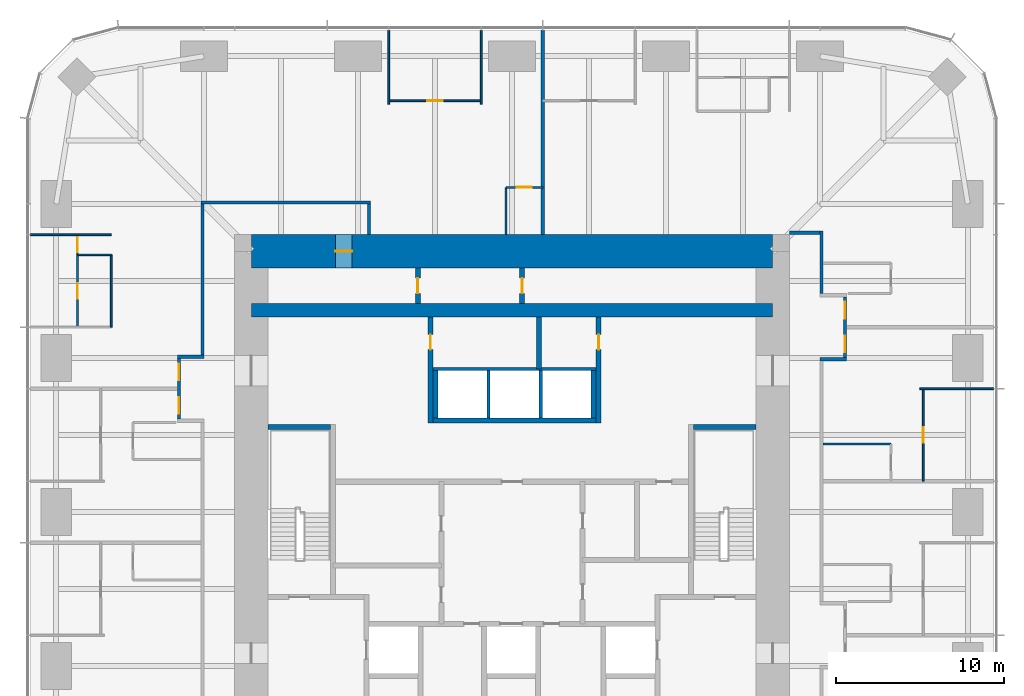
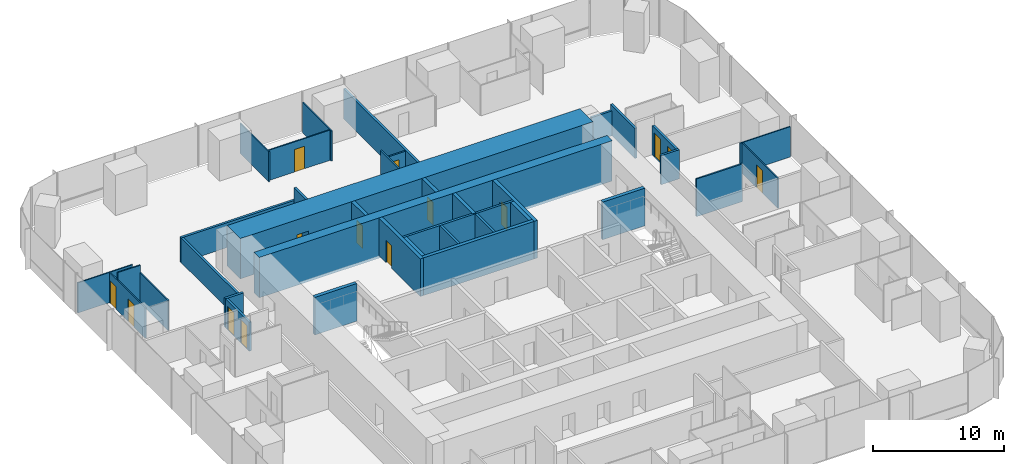
# One storey, part 11 of 13: 37 walls, 14 doors, 14 openings.
"""IFC4 building model written with IfcOpenShell, lengths in metres."""

from ifc_helpers import new_model, si_unit, direction, frame, frame_2d, origin, place, context, subcontext, project, spatial, rectangle, extrude, material, layer, layer_set, type_object, element, fill, save


model = new_model("IFC4")

# Units and contexts
model_context = context("Model", 3, precision=1e-05, world=origin(), true_north=direction((0.0, 1.0)))
body_context = subcontext(model_context, "Body", "Model", "MODEL_VIEW")
ifc_project = project(units=[si_unit("LENGTHUNIT", "METRE"), si_unit("AREAUNIT", "SQUARE_METRE"), si_unit("VOLUMEUNIT", "CUBIC_METRE"), si_unit("PLANEANGLEUNIT", "RADIAN"), si_unit("MASSUNIT", "GRAM", prefix="KILO")], contexts=[model_context])

# Site, building, storey
site_placement = place(None, origin())
site = spatial("IfcSite", under=ifc_project, at=site_placement, CompositionType="ELEMENT")
building_placement = place(site_placement, origin())
building = spatial("IfcBuilding", under=site, at=building_placement, Name="Khuree Lantern Residences", CompositionType="ELEMENT")
storey_placement = place(building_placement, frame((0.0, 0.0, 141.0)))
storey = spatial("IfcBuildingStorey", under=building, at=storey_placement, Name="L35", CompositionType="ELEMENT", Elevation=141.0)

# Wall
ifc_material_1 = material(Name="Moisture-resistant gypsum board on steel studs", Category="steel")
ifc_layer_1 = layer(ifc_material_1, 0.125)
ifc_layer_set_1 = layer_set([ifc_layer_1], Name="BATHROOM WALL BTW125")
wall_type_1 = type_object("IfcWallType", Name="BATHROOM WALL BTW125", PredefinedType="PARTITIONING", material=ifc_layer_set_1)
wall_1_placement = place(storey_placement, frame((18.5, 4.031982421875, 0.0), z_axis=(0.0, 0.0, 1.0), x_axis=(1.0, 0.0, 0.0)))
element("IfcWall", 1, at=wall_1_placement, inside=storey, type_object=wall_type_1, Name="L35 BATHROOM WALL 02", PredefinedType="PARTITIONING", context=body_context, shape_type="SweptSolid", body=[
    extrude(rectangle(XDim=4.02978515625, YDim=0.125, at=frame_2d((2.014892578125, 0.0))), origin(), (0.0, 0.0, 1.0), 3.5),
])

# Wall, opening, door
wall_2_placement = place(storey_placement, frame((1.83203125, 19.300048828125, 0.0), z_axis=(0.0, 0.0, 1.0), x_axis=(-1.0, 0.0, 0.0)))
wall_2 = element("IfcWall", 2, at=wall_2_placement, inside=storey, type_object=wall_type_1, Name="L35 BATHROOM WALL 04", PredefinedType="PARTITIONING", context=body_context, shape_type="SweptSolid", body=[
    extrude(rectangle(XDim=2.199951171875, YDim=0.125, at=frame_2d((1.10009765625, 0.0))), origin(), (0.0, 0.0, 1.0), 2.699951171875),
])
opening_1_placement = place(wall_2_placement, frame((0.64990234375, 0.0, 0.0)))
opening_1 = element("IfcOpeningElement", 3, at=opening_1_placement, cuts=wall_2, Name="Opening 35-040", PredefinedType="OPENING", context=body_context, shape_type="SweptSolid", body=[
    extrude(rectangle(XDim=0.89990234375, YDim=2.10009765625, at=frame_2d((0.449951171875, 1.050048828125))), frame((0.0, 0.072509765625, 0.0), z_axis=(0.0, -1.0, 0.0), x_axis=(1.0, 0.0, 0.0)), (0.0, 0.0, 1.0), 0.14501953125),
])
ifc_material_2 = material(Name="Timber door leaf in hardwood frame", Category="wood")
door_type_1 = type_object("IfcDoorType", Name="BATHROOM DOOR 900X2100", OperationType="SINGLE_SWING_LEFT", PredefinedType="DOOR", material=ifc_material_2)
door_1_placement = place(opening_1_placement, origin())
door_1 = element("IfcDoor", 4, at=door_1_placement, inside=storey, type_object=door_type_1, Name="Bathroom door 35-040", OperationType="SINGLE_SWING_LEFT", OverallHeight=2.10009765625, OverallWidth=0.89990234375, PredefinedType="DOOR", context=body_context, shape_type="SweptSolid", body=[
    extrude(rectangle(XDim=0.89990234375, YDim=2.10009765625, at=frame_2d((0.449951171875, 1.050048828125))), frame((0.0, 0.02490234375, 0.0), z_axis=(0.0, -1.0, 0.0), x_axis=(1.0, 0.0, 0.0)), (0.0, 0.0, 1.0), 0.050048828125),
])
fill(opening_1, door_1)

# Walls
wall_3_placement = place(storey_placement, frame((-0.367919921875, 16.5, 0.0), z_axis=(0.0, 0.0, 1.0), x_axis=(0.0, 1.0, 0.0)))
element("IfcWall", 5, at=wall_3_placement, inside=storey, type_object=wall_type_1, Name="L35 BATHROOM WALL 04", PredefinedType="PARTITIONING", context=body_context, shape_type="SweptSolid", body=[
    extrude(rectangle(XDim=2.800048828125, YDim=0.125, at=frame_2d((1.39990234375, 0.0))), origin(), (0.0, 0.0, 1.0), 3.5),
])
ifc_material_3 = material(Name="Dense concrete blockwork", Category="masonry")
ifc_layer_2 = layer(ifc_material_3, 0.300048828125)
ifc_layer_set_2 = layer_set([ifc_layer_2], Name="CORE PARTITION WALL CPW300 EI 120")
wall_type_2 = type_object("IfcWallType", Name="CORE PARTITION WALL CPW300 EI 120", PredefinedType="PARTITIONING", material=ifc_layer_set_2)
wall_4_placement = place(storey_placement, frame((-4.699951171875, 5.449951171875, 0.0), z_axis=(0.0, 0.0, 1.0), x_axis=(1.0, 0.0, 0.0)))
element("IfcWall", 6, at=wall_4_placement, inside=storey, type_object=wall_type_2, Name="L35 CORE WALL PHS", PredefinedType="PARTITIONING", context=body_context, shape_type="SweptSolid", body=[
    extrude(rectangle(XDim=9.699951171875, YDim=0.300048828125, at=frame_2d((4.85009765625, 0.0))), origin(), (0.0, 0.0, 1.0), 3.5),
])
for number, where, z_axis, x_axis, name in (
    (7, (-4.550048828125, 5.60009765625, 0.0), (0.0, 0.0, 1.0), (0.0, 1.0, 0.0), "L35 CORE WALL PHW"),
    (8, (4.85009765625, 5.60009765625, 0.0), (0.0, 0.0, 1.0), (0.0, 1.0, 0.0), "L35 CORE WALL PHE"),
):
    element("IfcWall", number, at=place(storey_placement, frame(where, z_axis=z_axis, x_axis=x_axis)), inside=storey, type_object=wall_type_2, Name=name, PredefinedType="PARTITIONING", context=body_context, shape_type="SweptSolid", body=[
        extrude(rectangle(XDim=2.7998046875, YDim=0.300048828125, at=frame_2d((1.39990234375, 0.0))), origin(), (0.0, 0.0, 1.0), 3.5),
    ])

# Wall, opening, door
wall_5_placement = place(storey_placement, frame((-4.85009765625, 5.300048828125, 0.0), z_axis=(0.0, 0.0, 1.0), x_axis=(0.0, 1.0, 0.0)))
wall_5 = element("IfcWall", 9, at=wall_5_placement, inside=storey, type_object=wall_type_2, Name="L35 CORE WALL NW", PredefinedType="PARTITIONING", context=body_context, shape_type="SweptSolid", body=[
    extrude(rectangle(XDim=6.300048828125, YDim=0.300048828125, at=frame_2d((3.14990234375, 0.0))), origin(), (0.0, 0.0, 1.0), 3.5),
])
opening_2_placement = place(wall_5_placement, frame((4.35009765625, 0.0, 0.0)))
opening_2 = element("IfcOpeningElement", 10, at=opening_2_placement, cuts=wall_5, Name="Opening 35-021", PredefinedType="OPENING", context=body_context, shape_type="SweptSolid", body=[
    extrude(rectangle(XDim=0.89990234375, YDim=2.10009765625, at=frame_2d((0.449951171875, 1.050048828125))), frame((0.0, 0.16015625, 0.0), z_axis=(0.0, -1.0, 0.0), x_axis=(1.0, 0.0, 0.0)), (0.0, 0.0, 1.0), 0.320068359375),
])
door_type_2 = type_object("IfcDoorType", Name="DOOR 900X2100 RIGHT HAND", OperationType="SINGLE_SWING_RIGHT", PredefinedType="DOOR", material=ifc_material_2)
door_2_placement = place(opening_2_placement, origin())
door_2 = element("IfcDoor", 11, at=door_2_placement, inside=storey, type_object=door_type_2, Name="Parcel room door 35-021", OperationType="SINGLE_SWING_RIGHT", OverallHeight=2.10009765625, OverallWidth=0.89990234375, PredefinedType="DOOR", context=body_context, shape_type="SweptSolid", body=[
    extrude(rectangle(XDim=0.89990234375, YDim=2.10009765625, at=frame_2d((0.449951171875, 1.050048828125))), frame((0.0, 0.02490234375, 0.0), z_axis=(0.0, -1.0, 0.0), x_axis=(1.0, 0.0, 0.0)), (0.0, 0.0, 1.0), 0.050048828125),
])
fill(opening_2, door_2)

wall_6_placement = place(storey_placement, frame((5.14990234375, 5.300048828125, 0.0), z_axis=(0.0, 0.0, 1.0), x_axis=(0.0, 1.0, 0.0)))
wall_6 = element("IfcWall", 12, at=wall_6_placement, inside=storey, type_object=wall_type_2, Name="L35 CORE WALL NE", PredefinedType="PARTITIONING", context=body_context, shape_type="SweptSolid", body=[
    extrude(rectangle(XDim=6.300048828125, YDim=0.300048828125, at=frame_2d((3.14990234375, 0.0))), origin(), (0.0, 0.0, 1.0), 3.5),
])
opening_3_placement = place(wall_6_placement, frame((4.35009765625, 0.0, 0.0)))
opening_3 = element("IfcOpeningElement", 13, at=opening_3_placement, cuts=wall_6, Name="Opening 35-022", PredefinedType="OPENING", context=body_context, shape_type="SweptSolid", body=[
    extrude(rectangle(XDim=0.89990234375, YDim=2.10009765625, at=frame_2d((0.449951171875, 1.050048828125))), frame((0.0, 0.16015625, 0.0), z_axis=(0.0, -1.0, 0.0), x_axis=(1.0, 0.0, 0.0)), (0.0, 0.0, 1.0), 0.320068359375),
])
door_type_3 = type_object("IfcDoorType", Name="DOOR 900X2100", OperationType="SINGLE_SWING_LEFT", PredefinedType="DOOR", material=ifc_material_2)
door_3_placement = place(opening_3_placement, origin())
door_3 = element("IfcDoor", 14, at=door_3_placement, inside=storey, type_object=door_type_3, Name="IT room door 35-022", OperationType="SINGLE_SWING_LEFT", OverallHeight=2.10009765625, OverallWidth=0.89990234375, PredefinedType="DOOR", context=body_context, shape_type="SweptSolid", body=[
    extrude(rectangle(XDim=0.89990234375, YDim=2.10009765625, at=frame_2d((0.449951171875, 1.050048828125))), frame((0.0, 0.02490234375, 0.0), z_axis=(0.0, -1.0, 0.0), x_axis=(1.0, 0.0, 0.0)), (0.0, 0.0, 1.0), 0.050048828125),
])
fill(opening_3, door_3)

# Wall
wall_7_placement = place(storey_placement, frame((1.60009765625, 8.5, 0.0), z_axis=(0.0, 0.0, 1.0), x_axis=(0.0, 1.0, 0.0)))
element("IfcWall", 15, at=wall_7_placement, inside=storey, type_object=wall_type_2, Name="L35 CORE WALL NX", PredefinedType="PARTITIONING", context=body_context, shape_type="SweptSolid", body=[
    extrude(rectangle(XDim=3.10009765625, YDim=0.300048828125, at=frame_2d((1.550048828125, 0.0))), origin(), (0.0, 0.0, 1.0), 3.5),
])

# Wall, opening, door
wall_8_placement = place(storey_placement, frame((-5.60009765625, 12.39990234375, 0.0), z_axis=(0.0, 0.0, 1.0), x_axis=(0.0, 1.0, 0.0)))
wall_8 = element("IfcWall", 16, at=wall_8_placement, inside=storey, type_object=wall_type_2, Name="L35 CORE WALL PLX", PredefinedType="PARTITIONING", context=body_context, shape_type="SweptSolid", body=[
    extrude(rectangle(XDim=2.10009765625, YDim=0.300048828125, at=frame_2d((1.050048828125, 0.0))), origin(), (0.0, 0.0, 1.0), 3.5),
])
opening_4_placement = place(wall_8_placement, frame((0.60009765625, 0.0, 0.0)))
opening_4 = element("IfcOpeningElement", 17, at=opening_4_placement, cuts=wall_8, Name="Opening 35-023", PredefinedType="OPENING", context=body_context, shape_type="SweptSolid", body=[
    extrude(rectangle(XDim=0.89990234375, YDim=2.10009765625, at=frame_2d((0.449951171875, 1.050048828125))), frame((0.0, 0.16015625, 0.0), z_axis=(0.0, -1.0, 0.0), x_axis=(1.0, 0.0, 0.0)), (0.0, 0.0, 1.0), 0.320068359375),
])
door_4_placement = place(opening_4_placement, origin())
door_4 = element("IfcDoor", 18, at=door_4_placement, inside=storey, type_object=door_type_3, Name="Housekeeping store door 35-023", OperationType="SINGLE_SWING_LEFT", OverallHeight=2.10009765625, OverallWidth=0.89990234375, PredefinedType="DOOR", context=body_context, shape_type="SweptSolid", body=[
    extrude(rectangle(XDim=0.89990234375, YDim=2.10009765625, at=frame_2d((0.449951171875, 1.050048828125))), frame((0.0, 0.02490234375, 0.0), z_axis=(0.0, -1.0, 0.0), x_axis=(1.0, 0.0, 0.0)), (0.0, 0.0, 1.0), 0.050048828125),
])
fill(opening_4, door_4)

wall_9_placement = place(storey_placement, frame((0.60009765625, 12.39990234375, 0.0), z_axis=(0.0, 0.0, 1.0), x_axis=(0.0, 1.0, 0.0)))
wall_9 = element("IfcWall", 19, at=wall_9_placement, inside=storey, type_object=wall_type_2, Name="L35 CORE WALL PLY", PredefinedType="PARTITIONING", context=body_context, shape_type="SweptSolid", body=[
    extrude(rectangle(XDim=2.10009765625, YDim=0.300048828125, at=frame_2d((1.050048828125, 0.0))), origin(), (0.0, 0.0, 1.0), 3.5),
])
opening_5_placement = place(wall_9_placement, frame((0.60009765625, 0.0, 0.0)))
opening_5 = element("IfcOpeningElement", 20, at=opening_5_placement, cuts=wall_9, Name="Opening 35-024", PredefinedType="OPENING", context=body_context, shape_type="SweptSolid", body=[
    extrude(rectangle(XDim=0.89990234375, YDim=2.10009765625, at=frame_2d((0.449951171875, 1.050048828125))), frame((0.0, 0.16015625, 0.0), z_axis=(0.0, -1.0, 0.0), x_axis=(1.0, 0.0, 0.0)), (0.0, 0.0, 1.0), 0.320068359375),
])
door_5_placement = place(opening_5_placement, origin())
door_5 = element("IfcDoor", 21, at=door_5_placement, inside=storey, type_object=door_type_3, Name="Store door 35-024", OperationType="SINGLE_SWING_LEFT", OverallHeight=2.10009765625, OverallWidth=0.89990234375, PredefinedType="DOOR", context=body_context, shape_type="SweptSolid", body=[
    extrude(rectangle(XDim=0.89990234375, YDim=2.10009765625, at=frame_2d((0.449951171875, 1.050048828125))), frame((0.0, 0.02490234375, 0.0), z_axis=(0.0, -1.0, 0.0), x_axis=(1.0, 0.0, 0.0)), (0.0, 0.0, 1.0), 0.050048828125),
])
fill(opening_5, door_5)

# Walls
ifc_material_4 = material(Name="Gypsum board on steel studs", Category="steel")
ifc_layer_3 = layer(ifc_material_4, 0.199951171875)
ifc_layer_set_3 = layer_set([ifc_layer_3], Name="CORRIDOR WALL CRW200 EI 60")
wall_type_3 = type_object("IfcWallType", Name="CORRIDOR WALL CRW200 EI 60", PredefinedType="PARTITIONING", material=ifc_layer_set_3)
wall_10_placement = place(storey_placement, frame((16.5, 16.60009765625, 0.0), z_axis=(0.0, 0.0, 1.0), x_axis=(1.0, 0.0, 0.0)))
element("IfcWall", 22, at=wall_10_placement, inside=storey, type_object=wall_type_3, Name="L35 EAST CORRIDOR NORTH END WALL", PredefinedType="PARTITIONING", context=body_context, shape_type="SweptSolid", body=[
    extrude(rectangle(XDim=1.800048828125, YDim=0.199951171875, at=frame_2d((0.89990234375, 0.0))), origin(), (0.0, 0.0, 1.0), 2.300048828125),
])
wall_11_placement = place(storey_placement, frame((-18.5, 18.39990234375, 0.0), z_axis=(0.0, 0.0, 1.0), x_axis=(1.0, 0.0, 0.0)))
element("IfcWall", 23, at=wall_11_placement, inside=storey, type_object=wall_type_3, Name="L35 CORRIDOR WALL NORTH", PredefinedType="PARTITIONING", context=body_context, shape_type="SweptSolid", body=[
    extrude(rectangle(XDim=10.10009765625, YDim=0.199951171875, at=frame_2d((5.050048828125, 0.0))), origin(), (0.0, 0.0, 1.0), 2.300048828125),
])
wall_12_placement = place(storey_placement, frame((-8.5, 18.300048828125, 0.0), z_axis=(0.0, 0.0, 1.0), x_axis=(0.0, -1.0, 0.0)))
element("IfcWall", 24, at=wall_12_placement, inside=storey, type_object=wall_type_3, Name="L35 NORTH CORRIDOR END WALL", PredefinedType="PARTITIONING", context=body_context, shape_type="SweptSolid", body=[
    extrude(rectangle(XDim=1.800048828125, YDim=0.199951171875, at=frame_2d((0.89990234375, 0.0))), origin(), (0.0, 0.0, 1.0), 3.5),
])
wall_13_placement = place(storey_placement, frame((18.300048828125, 9.092041015625, 0.0), z_axis=(0.0, 0.0, 1.0), x_axis=(1.0, 0.0, 0.0)))
element("IfcWall", 25, at=wall_13_placement, inside=storey, type_object=wall_type_3, Name="L35 CORRIDOR ALCOVE WALL EAST", PredefinedType="PARTITIONING", context=body_context, shape_type="SweptSolid", body=[
    extrude(rectangle(XDim=1.599853515625, YDim=0.199951171875, at=frame_2d((0.7998046875, 0.0))), origin(), (0.0, 0.0, 1.0), 2.699951171875),
])

# Wall, openings, doors
wall_14_placement = place(storey_placement, frame((19.800048828125, 9.19189453125, 0.0), z_axis=(0.0, 0.0, 1.0), x_axis=(0.0, 1.0, 0.0)))
wall_14 = element("IfcWall", 26, at=wall_14_placement, inside=storey, type_object=wall_type_3, Name="L35 CORRIDOR ALCOVE WALL EAST", PredefinedType="PARTITIONING", context=body_context, shape_type="SweptSolid", body=[
    extrude(rectangle(XDim=3.60009765625, YDim=0.199951171875, at=frame_2d((1.800048828125, 0.0))), origin(), (0.0, 0.0, 1.0), 2.699951171875),
])
opening_6_placement = place(wall_14_placement, frame((0.300048828125, 0.0, 0.0)))
opening_6 = element("IfcOpeningElement", 27, at=opening_6_placement, cuts=wall_14, Name="Opening 35-031", PredefinedType="OPENING", context=body_context, shape_type="SweptSolid", body=[
    extrude(rectangle(XDim=1.0, YDim=2.199951171875, at=frame_2d((0.5, 1.10009765625))), frame((0.0, 0.10986328125, 0.0), z_axis=(0.0, -1.0, 0.0), x_axis=(1.0, 0.0, 0.0)), (0.0, 0.0, 1.0), 0.219970703125),
])
opening_7_placement = place(wall_14_placement, frame((2.300048828125, 0.0, 0.0)))
opening_7 = element("IfcOpeningElement", 28, at=opening_7_placement, cuts=wall_14, Name="Opening 35-036", PredefinedType="OPENING", context=body_context, shape_type="SweptSolid", body=[
    extrude(rectangle(XDim=1.0, YDim=2.199951171875, at=frame_2d((0.5, 1.10009765625))), frame((0.0, 0.10986328125, 0.0), z_axis=(0.0, -1.0, 0.0), x_axis=(1.0, 0.0, 0.0)), (0.0, 0.0, 1.0), 0.219970703125),
])
door_type_4 = type_object("IfcDoorType", Name="APARTMENT ENTRANCE DOOR 1000X2200 EI 30S", OperationType="SINGLE_SWING_LEFT", PredefinedType="DOOR", material=ifc_material_2)
door_6_placement = place(opening_6_placement, origin())
door_6 = element("IfcDoor", 29, at=door_6_placement, inside=storey, type_object=door_type_4, Name="Apartment 02 entrance door 35-031", OperationType="SINGLE_SWING_LEFT", OverallHeight=2.199951171875, OverallWidth=1.0, PredefinedType="DOOR", context=body_context, shape_type="SweptSolid", body=[
    extrude(rectangle(XDim=1.0, YDim=2.199951171875, at=frame_2d((0.5, 1.10009765625))), frame((0.0, 0.02490234375, 0.0), z_axis=(0.0, -1.0, 0.0), x_axis=(1.0, 0.0, 0.0)), (0.0, 0.0, 1.0), 0.050048828125),
])
fill(opening_6, door_6)
door_type_5 = type_object("IfcDoorType", Name="APARTMENT ENTRANCE DOOR 1000X2200 EI 30S RIGHT HAND", OperationType="SINGLE_SWING_RIGHT", PredefinedType="DOOR", material=ifc_material_2)
door_7_placement = place(opening_7_placement, origin())
door_7 = element("IfcDoor", 30, at=door_7_placement, inside=storey, type_object=door_type_5, Name="Apartment 03 entrance door 35-036", OperationType="SINGLE_SWING_RIGHT", OverallHeight=2.199951171875, OverallWidth=1.0, PredefinedType="DOOR", context=body_context, shape_type="SweptSolid", body=[
    extrude(rectangle(XDim=1.0, YDim=2.199951171875, at=frame_2d((0.5, 1.10009765625))), frame((0.0, 0.02490234375, 0.0), z_axis=(0.0, -1.0, 0.0), x_axis=(1.0, 0.0, 0.0)), (0.0, 0.0, 1.0), 0.050048828125),
])
fill(opening_7, door_7)

# Walls
wall_15_placement = place(storey_placement, frame((18.39990234375, 12.991943359375, 0.0), z_axis=(0.0, 0.0, 1.0), x_axis=(0.0, 1.0, 0.0)))
element("IfcWall", 31, at=wall_15_placement, inside=storey, type_object=wall_type_3, Name="L35 CORRIDOR WALL EAST 3", PredefinedType="PARTITIONING", context=body_context, shape_type="SweptSolid", body=[
    extrude(rectangle(XDim=3.7080078125, YDim=0.199951171875, at=frame_2d((1.85400390625, 0.0))), origin(), (0.0, 0.0, 1.0), 2.81005859375),
])
wall_16_placement = place(storey_placement, frame((-18.39990234375, 18.300048828125, 0.0), z_axis=(0.0, 0.0, 1.0), x_axis=(0.0, -1.0, 0.0)))
element("IfcWall", 32, at=wall_16_placement, inside=storey, type_object=wall_type_3, Name="L35 CORRIDOR WALL WEST 1", PredefinedType="PARTITIONING", context=body_context, shape_type="SweptSolid", body=[
    extrude(rectangle(XDim=8.97216796875, YDim=0.199951171875, at=frame_2d((4.486083984375, 0.0))), origin(), (0.0, 0.0, 1.0), 2.300048828125),
])
wall_17_placement = place(storey_placement, frame((-18.300048828125, 9.22802734375, 0.0), z_axis=(0.0, 0.0, 1.0), x_axis=(-1.0, 0.0, 0.0)))
element("IfcWall", 33, at=wall_17_placement, inside=storey, type_object=wall_type_3, Name="L35 CORRIDOR ALCOVE WALL WEST", PredefinedType="PARTITIONING", context=body_context, shape_type="SweptSolid", body=[
    extrude(rectangle(XDim=1.599853515625, YDim=0.199951171875, at=frame_2d((0.7998046875, 0.0))), origin(), (0.0, 0.0, 1.0), 2.699951171875),
])

# Wall, openings, doors
wall_18_placement = place(storey_placement, frame((-19.800048828125, 9.1279296875, 0.0), z_axis=(0.0, 0.0, 1.0), x_axis=(0.0, -1.0, 0.0)))
wall_18 = element("IfcWall", 34, at=wall_18_placement, inside=storey, type_object=wall_type_3, Name="L35 CORRIDOR ALCOVE WALL WEST", PredefinedType="PARTITIONING", context=body_context, shape_type="SweptSolid", body=[
    extrude(rectangle(XDim=3.599853515625, YDim=0.199951171875, at=frame_2d((1.7998046875, 0.0))), origin(), (0.0, 0.0, 1.0), 2.699951171875),
])
opening_8_placement = place(wall_18_placement, frame((0.300048828125, 0.0, 0.0)))
opening_8 = element("IfcOpeningElement", 35, at=opening_8_placement, cuts=wall_18, Name="Opening 35-041", PredefinedType="OPENING", context=body_context, shape_type="SweptSolid", body=[
    extrude(rectangle(XDim=1.0, YDim=2.199951171875, at=frame_2d((0.5, 1.10009765625))), frame((0.0, 0.10986328125, 0.0), z_axis=(0.0, -1.0, 0.0), x_axis=(1.0, 0.0, 0.0)), (0.0, 0.0, 1.0), 0.219970703125),
])
opening_9_placement = place(wall_18_placement, frame((2.300048828125, 0.0, 0.0)))
opening_9 = element("IfcOpeningElement", 36, at=opening_9_placement, cuts=wall_18, Name="Opening 35-044", PredefinedType="OPENING", context=body_context, shape_type="SweptSolid", body=[
    extrude(rectangle(XDim=1.0, YDim=2.199951171875, at=frame_2d((0.5, 1.10009765625))), frame((0.0, 0.10986328125, 0.0), z_axis=(0.0, -1.0, 0.0), x_axis=(1.0, 0.0, 0.0)), (0.0, 0.0, 1.0), 0.219970703125),
])
door_8_placement = place(opening_8_placement, origin())
door_8 = element("IfcDoor", 37, at=door_8_placement, inside=storey, type_object=door_type_4, Name="Apartment 04 entrance door 35-041", OperationType="SINGLE_SWING_LEFT", OverallHeight=2.199951171875, OverallWidth=1.0, PredefinedType="DOOR", context=body_context, shape_type="SweptSolid", body=[
    extrude(rectangle(XDim=1.0, YDim=2.199951171875, at=frame_2d((0.5, 1.10009765625))), frame((0.0, 0.02490234375, 0.0), z_axis=(0.0, -1.0, 0.0), x_axis=(1.0, 0.0, 0.0)), (0.0, 0.0, 1.0), 0.050048828125),
])
fill(opening_8, door_8)
door_9_placement = place(opening_9_placement, origin())
door_9 = element("IfcDoor", 38, at=door_9_placement, inside=storey, type_object=door_type_5, Name="Apartment 05 entrance door 35-044", OperationType="SINGLE_SWING_RIGHT", OverallHeight=2.199951171875, OverallWidth=1.0, PredefinedType="DOOR", context=body_context, shape_type="SweptSolid", body=[
    extrude(rectangle(XDim=1.0, YDim=2.199951171875, at=frame_2d((0.5, 1.10009765625))), frame((0.0, 0.02490234375, 0.0), z_axis=(0.0, -1.0, 0.0), x_axis=(1.0, 0.0, 0.0)), (0.0, 0.0, 1.0), 0.050048828125),
])
fill(opening_9, door_9)

# Wall, opening, door
ifc_material_5 = material(Name="Concrete C70/85", Category="concrete")
ifc_layer_4 = layer(ifc_material_5, 2.0)
ifc_layer_set_4 = layer_set([ifc_layer_4], Name="CW2000-C70 CORE WALL C70 2000")
wall_type_4 = type_object("IfcWallType", Name="CW2000-C70 CORE WALL C70 2000", PredefinedType="SHEAR", material=ifc_layer_set_4)
wall_19_placement = place(storey_placement, frame((-15.5, 15.5, -0.25), z_axis=(0.0, 0.0, 1.0), x_axis=(1.0, 0.0, 0.0)))
wall_19 = element("IfcWall", 39, at=wall_19_placement, inside=storey, type_object=wall_type_4, Name="Core wall N", PredefinedType="SHEAR", context=body_context, shape_type="SweptSolid", body=[
    extrude(rectangle(XDim=31.0, YDim=2.0, at=frame_2d((15.5, 0.0))), origin(), (0.0, 0.0, 1.0), 3.75),
])
opening_10_placement = place(wall_19_placement, frame((5.0, 0.0, 0.25)))
opening_10 = element("IfcOpeningElement", 40, at=opening_10_placement, cuts=wall_19, Name="Opening 35-025", PredefinedType="OPENING", context=body_context, shape_type="SweptSolid", body=[
    extrude(rectangle(XDim=1.0, YDim=2.10009765625, at=frame_2d((0.5, 1.050048828125))), frame((0.0, 1.010009765625, 0.0), z_axis=(0.0, -1.0, 0.0), x_axis=(1.0, 0.0, 0.0)), (0.0, 0.0, 1.0), 2.02001953125),
])
ifc_material_6 = material(Name="Steel door leaf in steel frame", Category="steel")
door_type_6 = type_object("IfcDoorType", Name="DOOR 1000X2100 EI 60 RIGHT HAND", OperationType="SINGLE_SWING_RIGHT", PredefinedType="DOOR", material=ifc_material_6)
door_10_placement = place(opening_10_placement, origin())
door_10 = element("IfcDoor", 41, at=door_10_placement, inside=storey, type_object=door_type_6, Name="Residents' store door 35-025", OperationType="SINGLE_SWING_RIGHT", OverallHeight=2.10009765625, OverallWidth=1.0, PredefinedType="DOOR", context=body_context, shape_type="SweptSolid", body=[
    extrude(rectangle(XDim=1.0, YDim=2.10009765625, at=frame_2d((0.5, 1.050048828125))), frame((0.0, 0.02490234375, 0.0), z_axis=(0.0, -1.0, 0.0), x_axis=(1.0, 0.0, 0.0)), (0.0, 0.0, 1.0), 0.050048828125),
])
fill(opening_10, door_10)

# Walls
ifc_layer_5 = layer(ifc_material_4, 0.199951171875)
ifc_layer_set_5 = layer_set([ifc_layer_5], Name="DEMISING WALL DMW200 EI 90")
wall_type_5 = type_object("IfcWallType", Name="DEMISING WALL DMW200 EI 90", PredefinedType="PARTITIONING", material=ifc_layer_set_5)
wall_20_placement = place(storey_placement, frame((1.83203125, 16.5, 0.0), z_axis=(0.0, 0.0, 1.0), x_axis=(0.0, 1.0, 0.0)))
element("IfcWall", 42, at=wall_20_placement, inside=storey, type_object=wall_type_5, Name="L35 DEMISING WALL 04", PredefinedType="PARTITIONING", context=body_context, shape_type="SweptSolid", body=[
    extrude(rectangle(XDim=12.14990234375, YDim=0.199951171875, at=frame_2d((6.074951171875, 0.0))), origin(), (0.0, 0.0, 1.0), 2.81005859375),
])
ifc_layer_6 = layer(ifc_material_4, 0.10009765625)
ifc_layer_set_6 = layer_set([ifc_layer_6], Name="PARTITION PT100")
wall_type_6 = type_object("IfcWallType", Name="PARTITION PT100", PredefinedType="PARTITIONING", material=ifc_layer_set_6)
for number, where, z_axis, x_axis, name in (
    (43, (24.25, 7.327880859375, 0.0), (0.0, 0.0, 1.0), (1.0, 0.0, 0.0), "L35 PARTITION 02"),
    (44, (-1.83203125, 24.25, 0.0), (0.0, 0.0, 1.0), (0.0, 1.0, 0.0), "L35 PARTITION 04"),
    (45, (-7.327880859375, 24.25, 0.0), (0.0, 0.0, 1.0), (0.0, 1.0, 0.0), "L35 PARTITION 04"),
):
    element("IfcWall", number, at=place(storey_placement, frame(where, z_axis=z_axis, x_axis=x_axis)), inside=storey, type_object=wall_type_6, Name=name, PredefinedType="PARTITIONING", context=body_context, shape_type="SweptSolid", body=[
        extrude(rectangle(XDim=4.39990234375, YDim=0.10009765625, at=frame_2d((2.199951171875, 0.0))), origin(), (0.0, 0.0, 1.0), 2.81005859375),
    ])
wall_21_placement = place(storey_placement, frame((-23.829833984375, 16.488037109375, 0.0), z_axis=(0.0, 0.0, 1.0), x_axis=(-1.0, 0.0, 0.0)))
element("IfcWall", 46, at=wall_21_placement, inside=storey, type_object=wall_type_6, Name="L35 PARTITION 04", PredefinedType="PARTITIONING", context=body_context, shape_type="SweptSolid", body=[
    extrude(rectangle(XDim=4.820068359375, YDim=0.10009765625, at=frame_2d((2.41015625, 0.0))), origin(), (0.0, 0.0, 1.0), 2.81005859375),
])

# Wall, opening, door
wall_22_placement = place(storey_placement, frame((24.449951171875, 1.83203125, 0.0), z_axis=(0.0, 0.0, 1.0), x_axis=(0.0, 1.0, 0.0)))
wall_22 = element("IfcWall", 47, at=wall_22_placement, inside=storey, type_object=wall_type_6, Name="L35 PARTITION 02", PredefinedType="PARTITIONING", context=body_context, shape_type="SweptSolid", body=[
    extrude(rectangle(XDim=5.495849609375, YDim=0.10009765625, at=frame_2d((2.748046875, 0.0))), origin(), (0.0, 0.0, 1.0), 2.81005859375),
])
opening_11_placement = place(wall_22_placement, frame((2.298095703125, 0.0, 0.0)))
opening_11 = element("IfcOpeningElement", 48, at=opening_11_placement, cuts=wall_22, Name="Opening 35-029", PredefinedType="OPENING", context=body_context, shape_type="SweptSolid", body=[
    extrude(rectangle(XDim=0.89990234375, YDim=2.10009765625, at=frame_2d((0.449951171875, 1.050048828125))), frame((0.0, 0.06005859375, 0.0), z_axis=(0.0, -1.0, 0.0), x_axis=(1.0, 0.0, 0.0)), (0.0, 0.0, 1.0), 0.1201171875),
])
door_type_7 = type_object("IfcDoorType", Name="BEDROOM DOOR 900X2100", OperationType="SINGLE_SWING_LEFT", PredefinedType="DOOR", material=ifc_material_2)
door_11_placement = place(opening_11_placement, origin())
door_11 = element("IfcDoor", 49, at=door_11_placement, inside=storey, type_object=door_type_7, Name="Bedroom door 35-029", OperationType="SINGLE_SWING_LEFT", OverallHeight=2.10009765625, OverallWidth=0.89990234375, PredefinedType="DOOR", context=body_context, shape_type="SweptSolid", body=[
    extrude(rectangle(XDim=0.89990234375, YDim=2.10009765625, at=frame_2d((0.449951171875, 1.050048828125))), frame((0.0, 0.02490234375, 0.0), z_axis=(0.0, -1.0, 0.0), x_axis=(1.0, 0.0, 0.0)), (0.0, 0.0, 1.0), 0.050048828125),
])
fill(opening_11, door_11)

wall_23_placement = place(storey_placement, frame((-1.83203125, 24.449951171875, 0.0), z_axis=(0.0, 0.0, 1.0), x_axis=(-1.0, 0.0, 0.0)))
wall_23 = element("IfcWall", 50, at=wall_23_placement, inside=storey, type_object=wall_type_6, Name="L35 PARTITION 04", PredefinedType="PARTITIONING", context=body_context, shape_type="SweptSolid", body=[
    extrude(rectangle(XDim=5.495849609375, YDim=0.10009765625, at=frame_2d((2.748046875, 0.0))), origin(), (0.0, 0.0, 1.0), 2.81005859375),
])
opening_12_placement = place(wall_23_placement, frame((2.298095703125, 0.0, 0.0)))
opening_12 = element("IfcOpeningElement", 51, at=opening_12_placement, cuts=wall_23, Name="Opening 35-037", PredefinedType="OPENING", context=body_context, shape_type="SweptSolid", body=[
    extrude(rectangle(XDim=0.89990234375, YDim=2.10009765625, at=frame_2d((0.449951171875, 1.050048828125))), frame((0.0, 0.06005859375, 0.0), z_axis=(0.0, -1.0, 0.0), x_axis=(1.0, 0.0, 0.0)), (0.0, 0.0, 1.0), 0.1201171875),
])
door_12_placement = place(opening_12_placement, origin())
door_12 = element("IfcDoor", 52, at=door_12_placement, inside=storey, type_object=door_type_7, Name="Bedroom door 35-037", OperationType="SINGLE_SWING_LEFT", OverallHeight=2.10009765625, OverallWidth=0.89990234375, PredefinedType="DOOR", context=body_context, shape_type="SweptSolid", body=[
    extrude(rectangle(XDim=0.89990234375, YDim=2.10009765625, at=frame_2d((0.449951171875, 1.050048828125))), frame((0.0, 0.02490234375, 0.0), z_axis=(0.0, -1.0, 0.0), x_axis=(1.0, 0.0, 0.0)), (0.0, 0.0, 1.0), 0.050048828125),
])
fill(opening_12, door_12)

# Wall, openings, doors
wall_24_placement = place(storey_placement, frame((-25.829833984375, 16.488037109375, 0.0), z_axis=(0.0, 0.0, 1.0), x_axis=(0.0, -1.0, 0.0)))
wall_24 = element("IfcWall", 53, at=wall_24_placement, inside=storey, type_object=wall_type_6, Name="L35 PARTITION 04", PredefinedType="PARTITIONING", context=body_context, shape_type="SweptSolid", body=[
    extrude(rectangle(XDim=5.49609375, YDim=0.10009765625, at=frame_2d((2.748046875, 0.0))), origin(), (0.0, 0.0, 1.0), 2.81005859375),
])
opening_13_placement = place(wall_24_placement, frame((0.14990234375, 0.0, 0.0)))
opening_13 = element("IfcOpeningElement", 54, at=opening_13_placement, cuts=wall_24, Name="Opening 35-038", PredefinedType="OPENING", context=body_context, shape_type="SweptSolid", body=[
    extrude(rectangle(XDim=0.89990234375, YDim=2.10009765625, at=frame_2d((0.449951171875, 1.050048828125))), frame((0.0, 0.06005859375, 0.0), z_axis=(0.0, -1.0, 0.0), x_axis=(1.0, 0.0, 0.0)), (0.0, 0.0, 1.0), 0.1201171875),
])
opening_14_placement = place(wall_24_placement, frame((2.89794921875, 0.0, 0.0)))
opening_14 = element("IfcOpeningElement", 55, at=opening_14_placement, cuts=wall_24, Name="Opening 35-039", PredefinedType="OPENING", context=body_context, shape_type="SweptSolid", body=[
    extrude(rectangle(XDim=0.89990234375, YDim=2.10009765625, at=frame_2d((0.449951171875, 1.050048828125))), frame((0.0, 0.06005859375, 0.0), z_axis=(0.0, -1.0, 0.0), x_axis=(1.0, 0.0, 0.0)), (0.0, 0.0, 1.0), 0.1201171875),
])
door_13_placement = place(opening_13_placement, origin())
door_13 = element("IfcDoor", 56, at=door_13_placement, inside=storey, type_object=door_type_7, Name="Bedroom door 35-038", OperationType="SINGLE_SWING_LEFT", OverallHeight=2.10009765625, OverallWidth=0.89990234375, PredefinedType="DOOR", context=body_context, shape_type="SweptSolid", body=[
    extrude(rectangle(XDim=0.89990234375, YDim=2.10009765625, at=frame_2d((0.449951171875, 1.050048828125))), frame((0.0, 0.02490234375, 0.0), z_axis=(0.0, -1.0, 0.0), x_axis=(1.0, 0.0, 0.0)), (0.0, 0.0, 1.0), 0.050048828125),
])
fill(opening_13, door_13)
door_14_placement = place(opening_14_placement, origin())
door_14 = element("IfcDoor", 57, at=door_14_placement, inside=storey, type_object=door_type_3, Name="Wardrobe door 35-039", OperationType="SINGLE_SWING_LEFT", OverallHeight=2.10009765625, OverallWidth=0.89990234375, PredefinedType="DOOR", context=body_context, shape_type="SweptSolid", body=[
    extrude(rectangle(XDim=0.89990234375, YDim=2.10009765625, at=frame_2d((0.449951171875, 1.050048828125))), frame((0.0, 0.02490234375, 0.0), z_axis=(0.0, -1.0, 0.0), x_axis=(1.0, 0.0, 0.0)), (0.0, 0.0, 1.0), 0.050048828125),
])
fill(opening_14, door_14)

# Walls
wall_25_placement = place(storey_placement, frame((-23.829833984375, 15.2880859375, 0.0), z_axis=(0.0, 0.0, 1.0), x_axis=(-1.0, 0.0, 0.0)))
element("IfcWall", 58, at=wall_25_placement, inside=storey, type_object=wall_type_6, Name="L35 PARTITION 04", PredefinedType="PARTITIONING", context=body_context, shape_type="SweptSolid", body=[
    extrude(rectangle(XDim=2.0, YDim=0.10009765625, at=frame_2d((1.0, 0.0))), origin(), (0.0, 0.0, 1.0), 3.5),
])
wall_26_placement = place(storey_placement, frame((-23.829833984375, 15.2880859375, 0.0), z_axis=(0.0, 0.0, 1.0), x_axis=(0.0, -1.0, 0.0)))
element("IfcWall", 59, at=wall_26_placement, inside=storey, type_object=wall_type_6, Name="L35 PARTITION 04", PredefinedType="PARTITIONING", context=body_context, shape_type="SweptSolid", body=[
    extrude(rectangle(XDim=4.296142578125, YDim=0.10009765625, at=frame_2d((2.14794921875, 0.0))), origin(), (0.0, 0.0, 1.0), 2.81005859375),
])
ifc_layer_7 = layer(ifc_material_3, 0.199951171875)
ifc_layer_set_7 = layer_set([ifc_layer_7], Name="SHAFT WALL SHW200 EI 120")
wall_type_7 = type_object("IfcWallType", Name="SHAFT WALL SHW200 EI 120", PredefinedType="PARTITIONING", material=ifc_layer_set_7)
wall_27_placement = place(storey_placement, frame((-4.699951171875, 8.5, 0.0), z_axis=(0.0, 0.0, 1.0), x_axis=(1.0, 0.0, 0.0)))
element("IfcWall", 60, at=wall_27_placement, inside=storey, type_object=wall_type_7, Name="L35 CORE WALL PHN", PredefinedType="PARTITIONING", context=body_context, shape_type="SweptSolid", body=[
    extrude(rectangle(XDim=9.699951171875, YDim=0.199951171875, at=frame_2d((4.85009765625, 0.0))), origin(), (0.0, 0.0, 1.0), 3.5),
])
for number, where, z_axis, x_axis, name in (
    (61, (-1.39990234375, 5.60009765625, 0.0), (0.0, 0.0, 1.0), (0.0, 1.0, 0.0), "L35 CORE WALL PHD1"),
    (62, (1.699951171875, 5.60009765625, 0.0), (0.0, 0.0, 1.0), (0.0, 1.0, 0.0), "L35 CORE WALL PHD2"),
):
    element("IfcWall", number, at=place(storey_placement, frame(where, z_axis=z_axis, x_axis=x_axis)), inside=storey, type_object=wall_type_7, Name=name, PredefinedType="PARTITIONING", context=body_context, shape_type="SweptSolid", body=[
        extrude(rectangle(XDim=2.7998046875, YDim=0.199951171875, at=frame_2d((1.39990234375, 0.0))), origin(), (0.0, 0.0, 1.0), 3.5),
    ])
ifc_layer_8 = layer(ifc_material_5, 0.800048828125)
ifc_layer_set_8 = layer_set([ifc_layer_8], Name="SP800-C70 CORE SPINE WALL C70 800")
wall_type_8 = type_object("IfcWallType", Name="SP800-C70 CORE SPINE WALL C70 800", PredefinedType="SHEAR", material=ifc_layer_set_8)
wall_28_placement = place(storey_placement, frame((-15.5, 12.0, -0.25), z_axis=(0.0, 0.0, 1.0), x_axis=(1.0, 0.0, 0.0)))
element("IfcWall", 63, at=wall_28_placement, inside=storey, type_object=wall_type_8, Name="Core wall SPN", PredefinedType="SHEAR", context=body_context, shape_type="SweptSolid", body=[
    extrude(rectangle(XDim=31.0, YDim=0.800048828125, at=frame_2d((15.5, 0.0))), origin(), (0.0, 0.0, 1.0), 3.75),
])
ifc_material_7 = material(Name="Concrete C50/60", Category="concrete")
ifc_layer_9 = layer(ifc_material_7, 0.300048828125)
ifc_layer_set_9 = layer_set([ifc_layer_9], Name="STAIR WALL SRW300 C50/60 REI 240")
wall_type_9 = type_object("IfcWallType", Name="STAIR WALL SRW300 C50/60 REI 240", PredefinedType="SOLIDWALL", material=ifc_layer_set_9)
for number, where, z_axis, x_axis, name in (
    (64, (-14.5, 5.050048828125, 0.0), (0.0, 0.0, 1.0), (1.0, 0.0, 0.0), "L35 STAIR WALL ST1N"),
    (65, (14.5, 5.050048828125, 0.0), (0.0, 0.0, 1.0), (-1.0, 0.0, 0.0), "L35 STAIR WALL ST2N"),
):
    element("IfcWall", number, at=place(storey_placement, frame(where, z_axis=z_axis, x_axis=x_axis)), inside=storey, type_object=wall_type_9, Name=name, PredefinedType="SOLIDWALL", context=body_context, shape_type="SweptSolid", body=[
        extrude(rectangle(XDim=3.699951171875, YDim=0.300048828125, at=frame_2d((1.85009765625, 0.0))), origin(), (0.0, 0.0, 1.0), 3.5),
    ])

save(model, "model.ifc")
